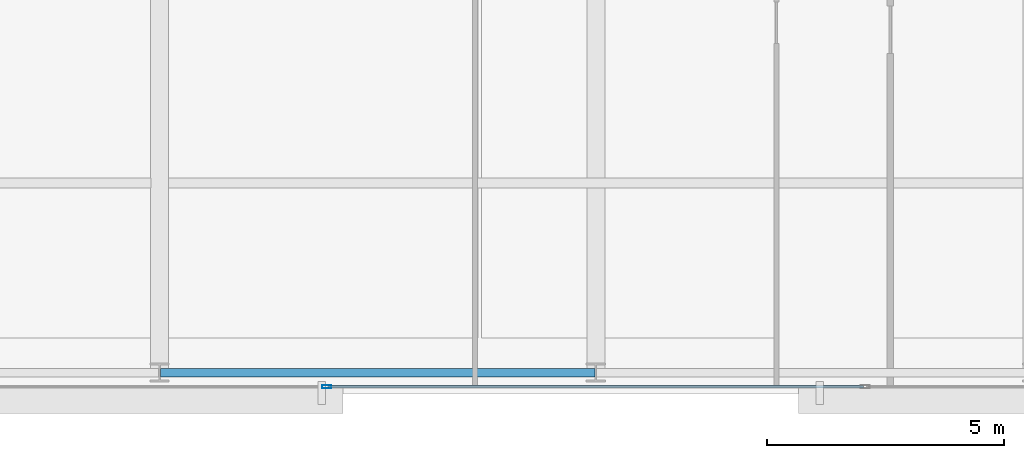
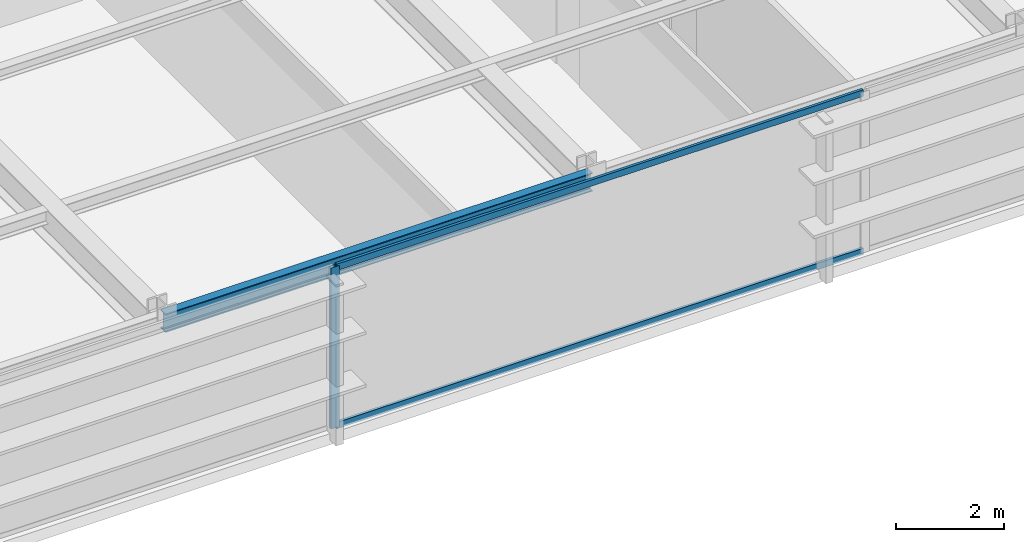
# One storey, part 6 of 30: 3 members, 1 beam, 1 element without a shape of its own.
"""IFC4 building model written with IfcOpenShell, lengths in metres."""

from ifc_helpers import new_model, si_unit, direction, frame, origin, origin_2d, place, context, subcontext, project, spatial, hollow_rectangle, i_section, extrude, source, transform, mapped, material, layer, layer_set, material_profile, profile_set, type_object, type_shapes, element, aggregate, save


model = new_model("IFC4")

# Units and contexts
model_context = context("Model", 3, precision=1e-05, world=origin(), true_north=direction((0.0, 1.0)))
body_context = subcontext(model_context, "Body", "Model", "MODEL_VIEW")
ifc_project = project(units=[si_unit("LENGTHUNIT", "METRE"), si_unit("AREAUNIT", "SQUARE_METRE"), si_unit("VOLUMEUNIT", "CUBIC_METRE"), si_unit("PLANEANGLEUNIT", "RADIAN"), si_unit("MASSUNIT", "GRAM", prefix="KILO")], contexts=[model_context])

# Site, building, storey
site_placement = place(None, origin())
site = spatial("IfcSite", under=ifc_project, at=site_placement, CompositionType="ELEMENT")
building_placement = place(site_placement, origin())
building = spatial("IfcBuilding", under=site, at=building_placement, Name="Varnel Quay Broadcast Tower", CompositionType="ELEMENT")
storey_placement = place(building_placement, frame((0.0, 0.0, 62.699951171875)))
storey = spatial("IfcBuildingStorey", under=building, at=storey_placement, Name="L14", CompositionType="ELEMENT", Elevation=62.699951171875)

# Beam
ifc_material_1 = material(Name="Structural Steel CSA G40.21 350W", Category="steel")
ifc_material_profile_1 = material_profile(ifc_material_1, i_section(OverallWidth=0.180908203125, OverallDepth=0.4169921875, WebThickness=0.010986328125, FlangeThickness=0.018310546875, FilletRadius=0.011962890625, at=origin_2d()), Name="W410X85")
ifc_profile_set_1 = profile_set([ifc_material_profile_1], Name="Structural Steel CSA G40.21 350W")
beam_type = type_object("IfcBeamType", Name="Beam_W410X85", PredefinedType="SPANDREL", material=ifc_profile_set_1)
shared_shape_1 = source(origin(), body_context, "Body", "SweptSolid", [
    extrude(i_section(OverallWidth=0.180908203125, OverallDepth=0.4169921875, WebThickness=0.010986328125, FlangeThickness=0.018310546875, FilletRadius=0.011962890625, at=origin_2d()), origin(), (0.0, 0.0, 1.0), 9.159912109375),
])
type_shapes(beam_type, [shared_shape_1])
beam_placement = place(storey_placement, frame((24.820068359375, 1.64990234375, 3.441650390625), z_axis=(1.0, 0.0, 0.0), x_axis=(0.0, 1.0, 0.0)))
element("IfcBeam", 1, at=beam_placement, inside=storey, type_object=beam_type, Name="L14 South Spandrel TC-S2-TC-S3", PredefinedType="SPANDREL", context=body_context, shape_type="MappedRepresentation", body=[
    mapped(shared_shape_1, transform((0.0, 0.0, 0.0), x_axis=(1.0, 0.0, 0.0), y_axis=(0.0, 1.0, 0.0), z_axis=(0.0, 0.0, 1.0), scale=1.0)),
])

# Curtain wall, members
ifc_material_2 = material(Name="Anodised Bronze Aluminium 6063-T6", Category="aluminium")
ifc_layer = layer(ifc_material_2, 0.18994140625, Name="Anodised Bronze Aluminium 6063-T6")
ifc_layer_set = layer_set([ifc_layer], Name="Anodised Bronze Aluminium 6063-T6")
curtain_wall_type = type_object("IfcCurtainWallType", Name="CW_LowerTower", PredefinedType="NOTDEFINED", material=ifc_layer_set)
curtain_wall_placement = place(storey_placement, origin())
curtain_wall = element("IfcCurtainWall", 2, at=curtain_wall_placement, inside=storey, type_object=curtain_wall_type, Name="L14 South Unitised Curtain Wall 1", PredefinedType="NOTDEFINED")
ifc_material_profile_2 = material_profile(ifc_material_2, hollow_rectangle(XDim=0.06005859375, YDim=0.14501953125, WallThickness=0.00341796875, at=origin_2d()), Name="ALU60X145X3.5")
ifc_profile_set_2 = profile_set([ifc_material_profile_2], Name="Anodised Bronze Aluminium 6063-T6")
member_type_1 = type_object("IfcMemberType", Name="Tran_CWS-02", PredefinedType="USERDEFINED", material=ifc_profile_set_2)
shared_shape_2 = source(origin(), body_context, "Body", "SweptSolid", [
    extrude(hollow_rectangle(XDim=0.06005859375, YDim=0.14501953125, WallThickness=0.00341796875, at=origin_2d()), origin(), (0.0, 0.0, 1.0), 11.2900390625),
])
type_shapes(member_type_1, [shared_shape_2])
member_1_placement = place(storey_placement, frame((28.35498046875, 1.35009765625, 0.030029296875), z_axis=(1.0, 0.0, 0.0), x_axis=(0.0, 1.0, 0.0)))
member_1 = element("IfcMember", 3, at=member_1_placement, type_object=member_type_1, Name="CWS-02 transom 3.1", ObjectType="TRANSOM", PredefinedType="USERDEFINED", context=body_context, shape_type="MappedRepresentation", body=[
    mapped(shared_shape_2, transform((0.0, 0.0, 0.0), x_axis=(1.0, 0.0, 0.0), y_axis=(0.0, 1.0, 0.0), z_axis=(0.0, 0.0, 1.0), scale=1.0)),
])
member_2_placement = place(storey_placement, frame((28.35498046875, 1.35009765625, 3.6201171875), z_axis=(1.0, 0.0, 0.0), x_axis=(0.0, 1.0, 0.0)))
member_2 = element("IfcMember", 4, at=member_2_placement, type_object=member_type_1, Name="CWS-02 transom 3.2", ObjectType="TRANSOM", PredefinedType="USERDEFINED", context=body_context, shape_type="MappedRepresentation", body=[
    mapped(shared_shape_2, transform((0.0, 0.0, 0.0), x_axis=(1.0, 0.0, 0.0), y_axis=(0.0, 1.0, 0.0), z_axis=(0.0, 0.0, 1.0), scale=1.0)),
])
ifc_material_profile_3 = material_profile(ifc_material_2, hollow_rectangle(XDim=0.070068359375, YDim=0.18994140625, WallThickness=0.00390625, at=origin_2d()), Name="ALU70X190X4")
ifc_profile_set_3 = profile_set([ifc_material_profile_3], Name="Anodised Bronze Aluminium 6063-T6")
member_type_2 = type_object("IfcMemberType", Name="Mull_CWS-02", PredefinedType="MULLION", material=ifc_profile_set_3)
shared_shape_3 = source(origin(), body_context, "Body", "SweptSolid", [
    extrude(hollow_rectangle(XDim=0.070068359375, YDim=0.18994140625, WallThickness=0.00390625, at=origin_2d()), origin(), (0.0, 0.0, 1.0), 3.650146484375),
])
type_shapes(member_type_2, [shared_shape_3])
member_3_placement = place(storey_placement, frame((28.320068359375, 1.35009765625, 0.0), z_axis=(0.0, 0.0, 1.0), x_axis=(0.0, 1.0, 0.0)))
member_3 = element("IfcMember", 5, at=member_3_placement, type_object=member_type_2, Name="CWS-02 mullion 3", PredefinedType="MULLION", context=body_context, shape_type="MappedRepresentation", body=[
    mapped(shared_shape_3, transform((0.0, 0.0, 0.0), x_axis=(1.0, 0.0, 0.0), y_axis=(0.0, 1.0, 0.0), z_axis=(0.0, 0.0, 1.0), scale=1.0)),
])
aggregate(curtain_wall, [member_3, member_1, member_2])

save(model, "model.ifc")
